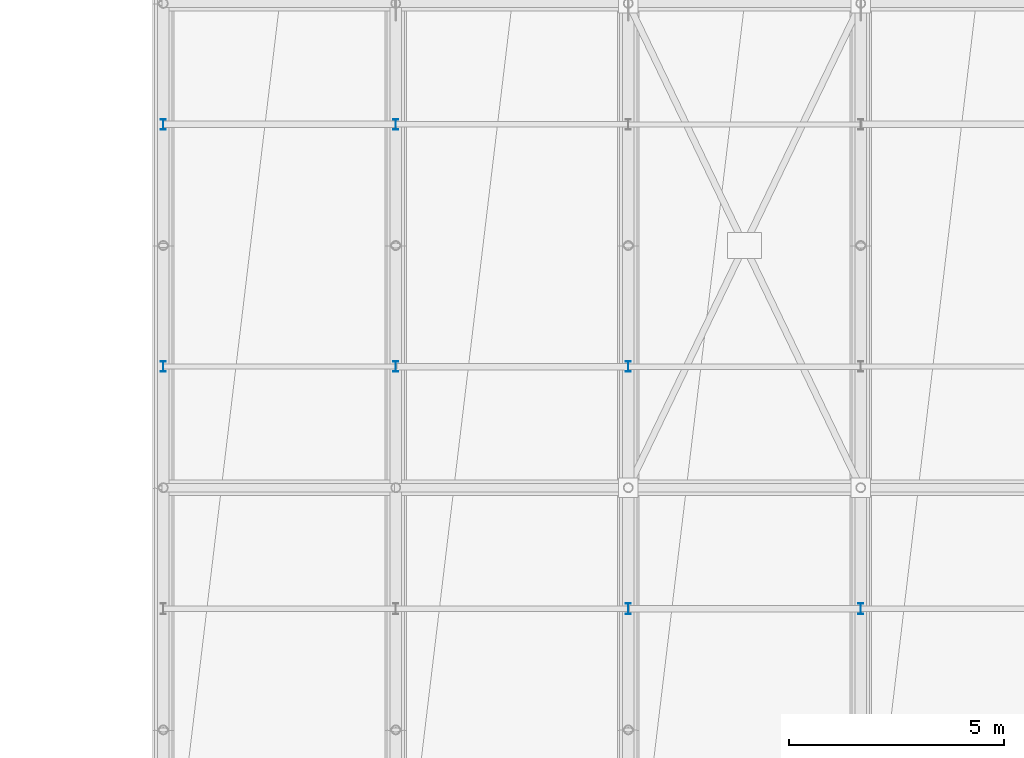
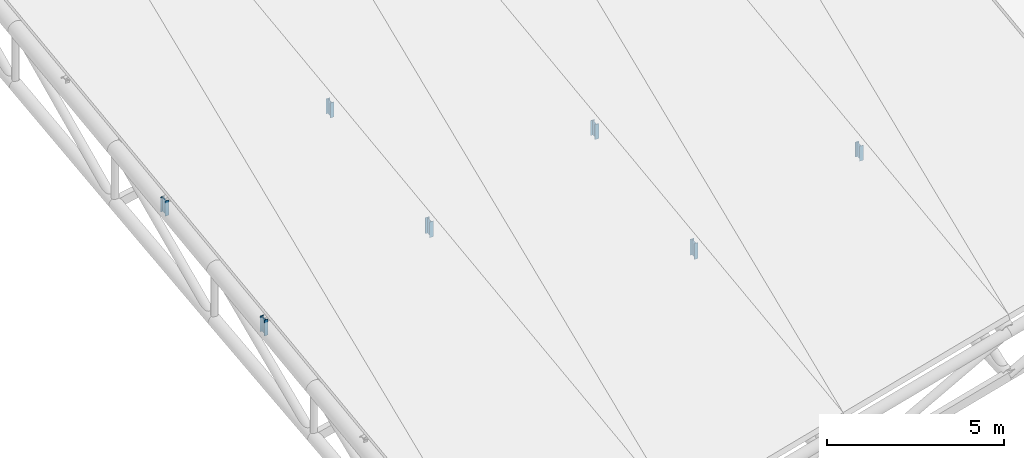
# One storey, part 54 of 109: 7 members.
"""IFC4 building model written with IfcOpenShell, lengths in metres."""

from ifc_helpers import new_model, si_unit, direction, frame, origin, origin_2d, place, context, subcontext, project, spatial, i_section, extrude, material, material_profile, profile_set, type_object, element, save


model = new_model("IFC4")

# Units and contexts
model_context = context("Model", 3, precision=1e-05, world=origin(), true_north=direction((0.0, 1.0)))
body_context = subcontext(model_context, "Body", "Model", "MODEL_VIEW")
ifc_project = project(units=[si_unit("LENGTHUNIT", "METRE"), si_unit("AREAUNIT", "SQUARE_METRE"), si_unit("VOLUMEUNIT", "CUBIC_METRE"), si_unit("PLANEANGLEUNIT", "RADIAN"), si_unit("MASSUNIT", "GRAM", prefix="KILO")], contexts=[model_context])

# Site, building, storey
site_placement = place(None, origin())
site = spatial("IfcSite", under=ifc_project, at=site_placement, CompositionType="ELEMENT")
building_placement = place(site_placement, origin())
building = spatial("IfcBuilding", under=site, at=building_placement, Name="Suirenkawa Promenade Aquatics Centre", CompositionType="ELEMENT")
storey_placement = place(building_placement, frame((0.0, 0.0, 22.800048828125)))
storey = spatial("IfcBuildingStorey", under=building, at=storey_placement, Name="ROOF", CompositionType="ELEMENT", Elevation=22.800048828125)

# Members
ifc_material = material(Name="Steel IS 2062 E350 (Grade 350)", Category="steel")
ifc_material_profile = material_profile(ifc_material, i_section(OverallWidth=0.125, OverallDepth=0.25, WebThickness=0.007080078125, FlangeThickness=0.012939453125, at=origin_2d()), Name="ISMB 250", Category="steel")
ifc_profile_set = profile_set([ifc_material_profile], Name="Steel IS 2062 E350 (Grade 350)")
member_type = type_object("IfcMemberType", Name="MT-WEB-CHS168", PredefinedType="BRACE", material=ifc_profile_set)
for number, where, z_axis, x_axis, name in (
    (1, (46.800048828125, 64.462890625, -13.406982421875), (0.0, 0.0, 1.0), (1.0, 0.0, 0.0), "ROOF TRUSS Purlin cleat post TD-03 MB-1679"),
    (2, (52.199951171875, 64.462890625, -11.906982421875), (0.0, 0.0, 1.0), (1.0, 0.0, 0.0), "ROOF TRUSS Purlin cleat post TD-03 MB-1680"),
):
    element("IfcMember", number, at=place(storey_placement, frame(where, z_axis=z_axis, x_axis=x_axis)), inside=storey, type_object=member_type, Name=name, PredefinedType="BRACE", context=body_context, shape_type="SweptSolid", body=[
        extrude(i_section(OverallWidth=0.125, OverallDepth=0.25, WebThickness=0.007080078125, FlangeThickness=0.012939453125, at=origin_2d()), origin(), (0.0, 0.0, 1.0), 0.5458984375),
    ])
for number, where, z_axis, x_axis, name in (
    (3, (46.800048828125, 70.087890625, -12.68212890625), (0.0, 0.0, 1.0), (1.0, 0.0, 0.0), "ROOF TRUSS Purlin cleat post TD-03 MB-1682"),
    (4, (52.199951171875, 70.087890625, -11.18212890625), (0.0, 0.0, 1.0), (1.0, 0.0, 0.0), "ROOF TRUSS Purlin cleat post TD-03 MB-1683"),
):
    element("IfcMember", number, at=place(storey_placement, frame(where, z_axis=z_axis, x_axis=x_axis)), inside=storey, type_object=member_type, Name=name, PredefinedType="BRACE", context=body_context, shape_type="SweptSolid", body=[
        extrude(i_section(OverallWidth=0.125, OverallDepth=0.25, WebThickness=0.007080078125, FlangeThickness=0.012939453125, at=origin_2d()), origin(), (0.0, 0.0, 1.0), 0.51904296875),
    ])
member_1_placement = place(storey_placement, frame((57.60009765625, 58.8369140625, -11.133056640625), z_axis=(0.0, 0.0, 1.0), x_axis=(1.0, 0.0, 0.0)))
element("IfcMember", 5, at=member_1_placement, inside=storey, type_object=member_type, Name="ROOF TRUSS Purlin cleat post TD-03 MB-1728", PredefinedType="BRACE", context=body_context, shape_type="SweptSolid", body=[
    extrude(i_section(OverallWidth=0.125, OverallDepth=0.25, WebThickness=0.007080078125, FlangeThickness=0.012939453125, at=origin_2d()), origin(), (0.0, 0.0, 1.0), 0.547119140625),
])
member_2_placement = place(storey_placement, frame((57.60009765625, 64.462890625, -10.406982421875), z_axis=(0.0, 0.0, 1.0), x_axis=(1.0, 0.0, 0.0)))
element("IfcMember", 6, at=member_2_placement, inside=storey, type_object=member_type, Name="ROOF TRUSS Purlin cleat post TD-03 MB-1730", PredefinedType="BRACE", context=body_context, shape_type="SweptSolid", body=[
    extrude(i_section(OverallWidth=0.125, OverallDepth=0.25, WebThickness=0.007080078125, FlangeThickness=0.012939453125, at=origin_2d()), origin(), (0.0, 0.0, 1.0), 0.51904296875),
])
member_3_placement = place(storey_placement, frame((63.0, 58.8369140625, -9.633056640625), z_axis=(0.0, 0.0, 1.0), x_axis=(1.0, 0.0, 0.0)))
element("IfcMember", 7, at=member_3_placement, inside=storey, type_object=member_type, Name="ROOF TRUSS Purlin cleat post TD-03 MB-1764", PredefinedType="BRACE", context=body_context, shape_type="SweptSolid", body=[
    extrude(i_section(OverallWidth=0.125, OverallDepth=0.25, WebThickness=0.007080078125, FlangeThickness=0.012939453125, at=origin_2d()), origin(), (0.0, 0.0, 1.0), 0.52001953125),
])

save(model, "model.ifc")
